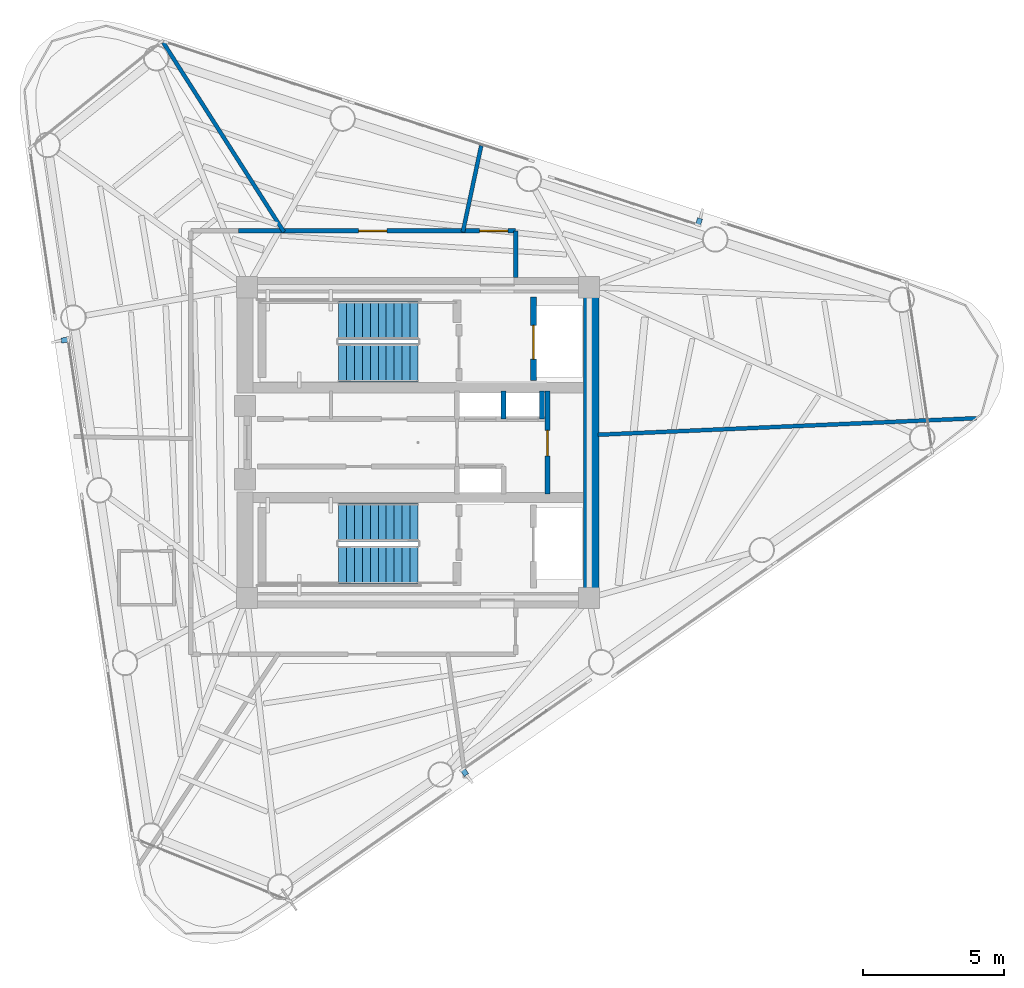
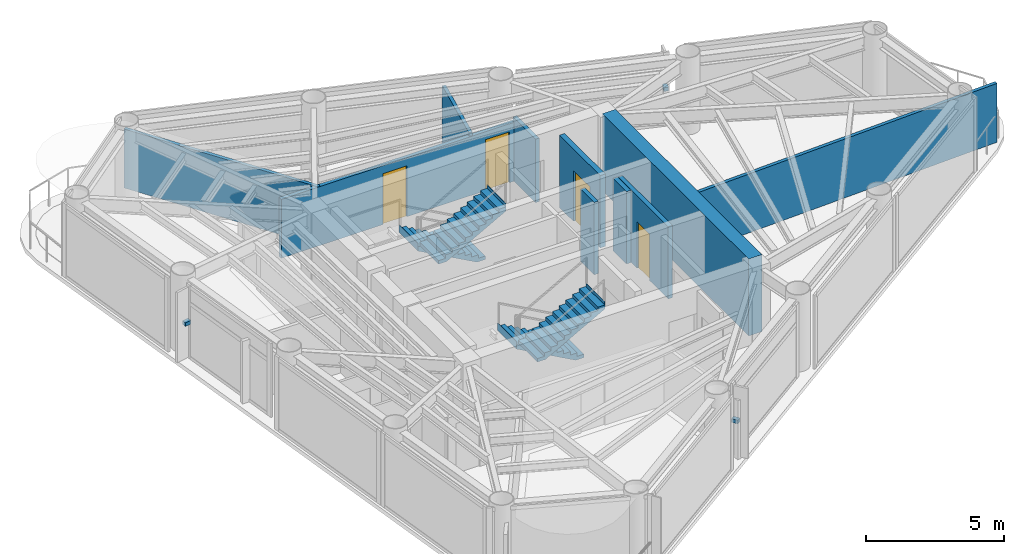
# One storey, part 6 of 10: 10 walls, 4 doors, 4 stair flights, 3 discrete accessories, 4 openings, 2 elements without a shape of their own.
"""IFC4 building model written with IfcOpenShell, lengths in metres."""

import ifcopenshell
import ifcopenshell.guid

model = None  # the IFC model being written
_history = None  # IfcOwnerHistory: only IFC2X3 demands one
_inside = {}  # id of a spatial element -> (the spatial element, [elements in it])
_under = {}  # id of a project, library or spatial element -> (it, [spatial elements below it])
_declared = {}  # id of a project -> (the project, [libraries it declares])
_typed = {}  # id of a type object -> (the type object, [elements of that type])
_made_of = {}  # id of a material, layer set ... -> (it, [elements and type objects made of it])


def new_model(schema):
    """Start an empty IFC model of exactly this schema.

    Asked for "IFC4X3", IfcOpenShell would pick the latest addendum, in which some entities
    have other attributes; the version numbers below select the first issue.
    IFC2X3 requires an IfcOwnerHistory on every rooted entity: one is made here for all.
    """
    global model, _history
    if schema == "IFC4X3":
        model = ifcopenshell.file(schema_version=(4, 3, 0, 0))
    else:
        model = ifcopenshell.file(schema=schema)
    _inside.clear()
    _under.clear()
    _declared.clear()
    _typed.clear()
    _made_of.clear()
    _history = None
    if model.schema == "IFC2X3":
        org = make("IfcOrganization", Name="unknown")
        user = make(
            "IfcPersonAndOrganization",
            ThePerson=make("IfcPerson", FamilyName="unknown"),
            TheOrganization=org,
        )
        app = make(
            "IfcApplication",
            ApplicationDeveloper=org,
            Version="unknown",
            ApplicationFullName="unknown",
            ApplicationIdentifier="unknown",
        )
        _history = make(
            "IfcOwnerHistory",
            OwningUser=user,
            OwningApplication=app,
            ChangeAction="ADDED",
            CreationDate=0,
        )
    return model


def make(cls, **values):
    """One entity of the class cls with the attributes given. An attribute that is None is left unset."""
    return model.create_entity(
        cls, **{name: value for name, value in values.items() if value is not None}
    )


def rooted(cls, **values):
    """An entity with a GlobalId (a new one), such as an element, a storey or a relation."""
    return make(cls, GlobalId=ifcopenshell.guid.new(), OwnerHistory=_history, **values)


def si_unit(unit_type, name, prefix=None):
    """IfcSIUnit, for example si_unit("LENGTHUNIT", "METRE", prefix="MILLI")."""
    return make("IfcSIUnit", UnitType=unit_type, Prefix=prefix, Name=name)


def assignment(units):
    """IfcUnitAssignment: the units of a project."""
    return None if units is None else make("IfcUnitAssignment", Units=units)


def point(xyz):
    """IfcCartesianPoint."""
    return None if xyz is None else make("IfcCartesianPoint", Coordinates=xyz)


def direction(xyz):
    """IfcDirection."""
    return None if xyz is None else make("IfcDirection", DirectionRatios=xyz)


def frame(location, z_axis=None, x_axis=None):
    """IfcAxis2Placement3D, a coordinate frame: its origin and axes. An axis left out is left unset."""
    return make(
        "IfcAxis2Placement3D",
        Location=point(location),
        Axis=direction(z_axis),
        RefDirection=direction(x_axis),
    )


def frame_2d(location, x_axis=None):
    """IfcAxis2Placement2D, a coordinate frame in the plane: its origin and x axis."""
    return make(
        "IfcAxis2Placement2D", Location=point(location), RefDirection=direction(x_axis)
    )


def origin():
    """The frame at (0, 0, 0) with its axes left unset."""
    return frame((0.0, 0.0, 0.0))


def origin_2d():
    """The frame at (0, 0) in the plane with its x axis left unset."""
    return frame_2d((0.0, 0.0))


def place(relative_to, where):
    """IfcLocalPlacement: puts the frame where relative to a parent placement (None: the world)."""
    return make(
        "IfcLocalPlacement", PlacementRelTo=relative_to, RelativePlacement=where
    )


def context(
    kind, dimensions, precision=None, world=None, true_north=None, identifier=None
):
    """IfcGeometricRepresentationContext, for example the 3D "Model" context."""
    return make(
        "IfcGeometricRepresentationContext",
        ContextIdentifier=identifier,
        ContextType=kind,
        CoordinateSpaceDimension=dimensions,
        Precision=precision,
        WorldCoordinateSystem=world,
        TrueNorth=true_north,
    )


def subcontext(parent, identifier, kind, view, scale=None):
    """IfcGeometricRepresentationSubContext, for example "Body" below "Model"."""
    return make(
        "IfcGeometricRepresentationSubContext",
        ContextIdentifier=identifier,
        ContextType=kind,
        ParentContext=parent,
        TargetScale=scale,
        TargetView=view,
    )


def project(units=None, contexts=None):
    """IfcProject with its units and contexts."""
    return rooted(
        "IfcProject",
        Name="project",
        RepresentationContexts=contexts,
        UnitsInContext=assignment(units),
    )


def spatial(cls, under=None, at=None, **own):
    """A site, building, storey or space (cls), placed at a placement, below another one or the project."""
    s = rooted(cls, ObjectPlacement=at, **own)
    if under is not None:
        _under.setdefault(under.id(), (under, []))[1].append(s)
    return s


def polyline(points):
    """IfcPolyline through the points."""
    return make("IfcPolyline", Points=[point(p) for p in points])


def profile(cls, at=None, kind="AREA", **sizes):
    """A parametric profile (cls). Its sizes go by their IFC names, for example OverallWidth=200.0."""
    return make(cls, ProfileType=kind, Position=at, **sizes)


def rectangle(**sizes):
    """IfcRectangleProfileDef."""
    return profile("IfcRectangleProfileDef", **sizes)


def outline(outer, holes=None, kind="AREA"):
    """IfcArbitraryClosedProfileDef: a profile drawn as a closed curve; with holes, ...WithVoids."""
    if holes is None:
        return make("IfcArbitraryClosedProfileDef", ProfileType=kind, OuterCurve=outer)
    return make(
        "IfcArbitraryProfileDefWithVoids",
        ProfileType=kind,
        OuterCurve=outer,
        InnerCurves=holes,
    )


def extrude(swept, where, along, depth):
    """IfcExtrudedAreaSolid: the profile swept, set in the frame where, extruded along a direction by depth."""
    return make(
        "IfcExtrudedAreaSolid",
        SweptArea=swept,
        Position=where,
        ExtrudedDirection=direction(along),
        Depth=depth,
    )


def shape(context_of_items, identifier, shape_type, items):
    """IfcShapeRepresentation: the items that make up one representation, for example the "Body"."""
    return make(
        "IfcShapeRepresentation",
        ContextOfItems=context_of_items,
        RepresentationIdentifier=identifier,
        RepresentationType=shape_type,
        Items=items,
    )


def source(mapping_origin, context_of_items, identifier, shape_type, items):
    """IfcRepresentationMap: a shape defined once, which mapped items show again and again."""
    return make(
        "IfcRepresentationMap",
        MappingOrigin=mapping_origin,
        MappedRepresentation=shape(context_of_items, identifier, shape_type, items),
    )


def transform(
    local_origin,
    x_axis=None,
    y_axis=None,
    z_axis=None,
    scale=None,
    scale2=None,
    scale3=None,
    uniform=True,
):
    """IfcCartesianTransformationOperator3D, or its non-uniform kind. x_axis, y_axis, z_axis: its Axis1, 2, 3."""
    if uniform:
        return make(
            "IfcCartesianTransformationOperator3D",
            Axis1=direction(x_axis),
            Axis2=direction(y_axis),
            LocalOrigin=point(local_origin),
            Scale=scale,
            Axis3=direction(z_axis),
        )
    return make(
        "IfcCartesianTransformationOperator3DnonUniform",
        Axis1=direction(x_axis),
        Axis2=direction(y_axis),
        LocalOrigin=point(local_origin),
        Scale=scale,
        Axis3=direction(z_axis),
        Scale2=scale2,
        Scale3=scale3,
    )


def mapped(mapping_source, mapping_target):
    """IfcMappedItem: shows the shape of a source again, moved by a transform."""
    return make(
        "IfcMappedItem", MappingSource=mapping_source, MappingTarget=mapping_target
    )


def material(Name=None, Category=None):
    """IfcMaterial."""
    return make("IfcMaterial", Name=Name, Category=Category)


def layer(
    of_material, thickness, ventilated=None, Name=None, Category=None, Priority=None
):
    """IfcMaterialLayer: one layer of a wall or slab, of a material (None: an air gap)."""
    return make(
        "IfcMaterialLayer",
        Material=of_material,
        LayerThickness=thickness,
        IsVentilated=ventilated,
        Name=Name,
        Category=Category,
        Priority=Priority,
    )


def layer_set(layers, Name=None):
    """IfcMaterialLayerSet."""
    return make("IfcMaterialLayerSet", MaterialLayers=layers, LayerSetName=Name)


def made_of(thing, what):
    """Note that an element or type object is made of a material, layer set ...; save() writes the relation."""
    if what is not None:
        _made_of.setdefault(what.id(), (what, []))[1].append(thing)
    return thing


def type_object(cls, material=None, **own):
    """A type object (cls), such as IfcWallType, which elements share."""
    return made_of(rooted(cls, **own), material)


def element(
    cls,
    number,
    at=None,
    inside=None,
    cuts=None,
    type_object=None,
    material=None,
    context=None,
    identifier="Body",
    shape_type=None,
    held_by="IfcProductDefinitionShape",
    body=None,
    shapes=None,
    **own,
):
    """One element of the class cls, such as IfcWall. Its Tag is "e" and its number.

    at: its placement. inside: the storey or other place that contains it. cuts: it is an
    opening in that element (IfcRelVoidsElement). A single representation is given by context,
    identifier, shape_type and body (its items); several are given by shapes. held_by: the class
    of the entity that holds the representations. save() writes the other relations.
    """
    e = rooted(cls, Tag="e%d" % number, ObjectPlacement=at, **own)
    if body is not None:
        shapes = [shape(context, identifier, shape_type, body)]
    if shapes is not None:
        e.Representation = make(held_by, Representations=shapes)
    if inside is not None:
        _inside.setdefault(inside.id(), (inside, []))[1].append(e)
    if cuts is not None:
        rooted(
            "IfcRelVoidsElement", RelatingBuildingElement=cuts, RelatedOpeningElement=e
        )
    if type_object is not None:
        _typed.setdefault(type_object.id(), (type_object, []))[1].append(e)
    return made_of(e, material)


def fill(opening, filler):
    """IfcRelFillsElement: the door or window that sits in an opening."""
    return rooted(
        "IfcRelFillsElement",
        RelatingOpeningElement=opening,
        RelatedBuildingElement=filler,
    )


def aggregate(whole, parts):
    """IfcRelAggregates: a whole, such as a stair, and the parts it consists of."""
    return rooted("IfcRelAggregates", RelatingObject=whole, RelatedObjects=parts)


def save(model, path):
    """Write the relations noted so far, then the file.

    IfcRelAggregates (storeys below a building ...), IfcRelContainedInSpatialStructure (elements
    in a storey), IfcRelDefinesByType, IfcRelAssociatesMaterial and IfcRelDeclares: one each for
    every whole, place, type object, material and project.
    """
    for whole, parts in _under.values():
        aggregate(whole, parts)
    for where, things in _inside.values():
        rooted(
            "IfcRelContainedInSpatialStructure",
            RelatedElements=things,
            RelatingStructure=where,
        )
    for kind, things in _typed.values():
        rooted("IfcRelDefinesByType", RelatedObjects=things, RelatingType=kind)
    for what, things in _made_of.values():
        rooted("IfcRelAssociatesMaterial", RelatedObjects=things, RelatingMaterial=what)
    for by, libraries in _declared.values():
        rooted("IfcRelDeclares", RelatingContext=by, RelatedDefinitions=libraries)
    model.write(path)


model = new_model("IFC4")

# Units and contexts
model_context = context("Model", 3, precision=1e-05, world=origin(), true_north=direction((0.0, 1.0)))
body_context = subcontext(model_context, "Body", "Model", "MODEL_VIEW")
ifc_project = project(units=[si_unit("LENGTHUNIT", "METRE"), si_unit("AREAUNIT", "SQUARE_METRE"), si_unit("VOLUMEUNIT", "CUBIC_METRE"), si_unit("PLANEANGLEUNIT", "RADIAN"), si_unit("MASSUNIT", "GRAM", prefix="KILO")], contexts=[model_context])

# Site, building, storey
site_placement = place(None, origin())
site = spatial("IfcSite", under=ifc_project, at=site_placement, CompositionType="ELEMENT")
building_placement = place(site_placement, origin())
building = spatial("IfcBuilding", under=site, at=building_placement, Name="Yunling Apex Tower", CompositionType="ELEMENT")
storey_placement = place(building_placement, frame((0.0, 0.0, 277.949951171875)))
storey = spatial("IfcBuildingStorey", under=building, at=storey_placement, Name="L68", CompositionType="ELEMENT", Elevation=277.949951171875)

# Wall
ifc_material_1 = material(Name="Concrete C40", Category="concrete")
ifc_layer_1 = layer(ifc_material_1, 0.550048828125)
ifc_layer_set_1 = layer_set([ifc_layer_1], Name="Concrete C40")
wall_type_1 = type_object("IfcWallType", Name="WL-COR-3", PredefinedType="SHEAR", material=ifc_layer_set_1)
wall_1_placement = place(storey_placement, frame((6.125, -5.300048828125, 0.0), z_axis=(0.0, 0.0, 1.0), x_axis=(0.0, 1.0, 0.0)))
element("IfcWall", 1, at=wall_1_placement, inside=storey, type_object=wall_type_1, Name="L68 East Core Shear Wall", PredefinedType="SHEAR", context=body_context, shape_type="SweptSolid", body=[
    extrude(rectangle(XDim=10.60009765625, YDim=0.550048828125, at=frame_2d((5.300048828125, 0.0))), origin(), (0.0, 0.0, 1.0), 3.400146484375),
])

# Wall, openings, doors
ifc_material_2 = material(Name="Gypsum board acoustic partition")
ifc_layer_2 = layer(ifc_material_2, 0.159912109375)
ifc_layer_set_2 = layer_set([ifc_layer_2], Name="Gypsum board acoustic partition")
wall_type_2 = type_object("IfcWallType", Name="WL-PRT-1", PredefinedType="PARTITIONING", material=ifc_layer_set_2)
wall_2_placement = place(storey_placement, frame((-6.360107421875, 7.489990234375, 0.0), z_axis=(0.0, 0.0, 1.0), x_axis=(1.0, 0.0, 0.0)))
wall_2 = element("IfcWall", 2, at=wall_2_placement, inside=storey, type_object=wall_type_2, Name="WL-CORR-L68-03", PredefinedType="PARTITIONING", context=body_context, shape_type="SweptSolid", body=[
    extrude(rectangle(XDim=9.81005859375, YDim=0.159912109375, at=frame_2d((4.905029296875, 0.0))), origin(), (0.0, 0.0, 1.0), 2.60498046875),
])
opening_1_placement = place(wall_2_placement, frame((4.25341796875, 0.0, 0.0)))
opening_1 = element("IfcOpeningElement", 3, at=opening_1_placement, cuts=wall_2, Name="Opening DR-OFF-1", PredefinedType="OPENING", context=body_context, shape_type="SweptSolid", body=[
    extrude(rectangle(XDim=1.0, YDim=2.25, at=frame_2d((0.5, 1.125))), frame((0.0, 0.08984375, 0.0), z_axis=(0.0, -1.0, 0.0), x_axis=(1.0, 0.0, 0.0)), (0.0, 0.0, 1.0), 0.179931640625),
])
opening_2_placement = place(wall_2_placement, frame((8.53955078125, 0.0, 0.0)))
opening_2 = element("IfcOpeningElement", 4, at=opening_2_placement, cuts=wall_2, Name="Opening DR-OFF-1", PredefinedType="OPENING", context=body_context, shape_type="SweptSolid", body=[
    extrude(rectangle(XDim=1.0, YDim=2.25, at=frame_2d((0.5, 1.125))), frame((0.0, 0.08984375, 0.0), z_axis=(0.0, -1.0, 0.0), x_axis=(1.0, 0.0, 0.0)), (0.0, 0.0, 1.0), 0.179931640625),
])
ifc_material_3 = material(Name="Bronze anodised aluminium", Category="aluminium")
door_type_1 = type_object("IfcDoorType", Name="DR-OFF-1", OperationType="NOTDEFINED", PredefinedType="DOOR", material=ifc_material_3)
door_1_placement = place(opening_1_placement, origin())
door_1 = element("IfcDoor", 5, at=door_1_placement, inside=storey, type_object=door_type_1, Name="L68 Concierge Reception Foyer Door", OperationType="SINGLE_SWING_RIGHT", OverallHeight=2.25, OverallWidth=1.0, PredefinedType="DOOR", context=body_context, shape_type="SweptSolid", body=[
    extrude(rectangle(XDim=1.0, YDim=2.25, at=frame_2d((0.5, 1.125))), frame((0.0, 0.02490234375, 0.0), z_axis=(0.0, -1.0, 0.0), x_axis=(1.0, 0.0, 0.0)), (0.0, 0.0, 1.0), 0.050048828125),
])
fill(opening_1, door_1)
door_2_placement = place(opening_2_placement, origin())
door_2 = element("IfcDoor", 6, at=door_2_placement, inside=storey, type_object=door_type_1, Name="L68 Private Tea Kitchen Door", OperationType="SINGLE_SWING_LEFT", OverallHeight=2.25, OverallWidth=1.0, PredefinedType="DOOR", context=body_context, shape_type="SweptSolid", body=[
    extrude(rectangle(XDim=1.0, YDim=2.25, at=frame_2d((0.5, 1.125))), frame((0.0, 0.02490234375, 0.0), z_axis=(0.0, -1.0, 0.0), x_axis=(1.0, 0.0, 0.0)), (0.0, 0.0, 1.0), 0.050048828125),
])
fill(opening_2, door_2)

# Walls
wall_3_placement = place(storey_placement, frame((3.449951171875, 7.489990234375, 0.0), z_axis=(0.0, 0.0, 1.0), x_axis=(0.0, -1.0, 0.0)))
element("IfcWall", 7, at=wall_3_placement, inside=storey, type_object=wall_type_2, Name="WL-CORR-L68-04", PredefinedType="PARTITIONING", context=body_context, shape_type="SweptSolid", body=[
    extrude(rectangle(XDim=1.639892578125, YDim=0.159912109375, at=frame_2d((0.81982421875, 0.0))), origin(), (0.0, 0.0, 1.0), 2.804931640625),
])
ifc_layer_3 = layer(ifc_material_2, 0.139892578125)
ifc_layer_set_3 = layer_set([ifc_layer_3], Name="Gypsum board acoustic partition")
wall_type_3 = type_object("IfcWallType", Name="WL-PRT-2", PredefinedType="PARTITIONING", material=ifc_layer_set_3)
wall_4_placement = place(storey_placement, frame((6.360107421875, 0.277587890625, 0.0), z_axis=(0.0, 0.0, 1.0), x_axis=(0.999047617824, 0.043633213494, 0.0)))
element("IfcWall", 8, at=wall_4_placement, inside=storey, type_object=wall_type_3, Name="WL-RAD-L68-01", PredefinedType="PARTITIONING", context=body_context, shape_type="SweptSolid", body=[
    extrude(rectangle(XDim=13.40625, YDim=0.139892578125, at=frame_2d((6.703125, 0.0))), origin(), (0.0, 0.0, 1.0), 2.60498046875),
])
wall_5_placement = place(storey_placement, frame((1.58349609375, 7.449951171875, 0.0), z_axis=(0.0, 0.0, 1.0), x_axis=(0.20788492722, 0.978153289129, 0.0)))
element("IfcWall", 9, at=wall_5_placement, inside=storey, type_object=wall_type_3, Name="WL-RAD-L68-02", PredefinedType="PARTITIONING", context=body_context, shape_type="SweptSolid", body=[
    extrude(rectangle(XDim=3.1240234375, YDim=0.139892578125, at=frame_2d((1.56201171875, 0.0))), origin(), (0.0, 0.0, 1.0), 2.76513671875),
])
wall_6_placement = place(storey_placement, frame((-4.74609375, 7.449951171875, 0.0), z_axis=(0.0, 0.0, 1.0), x_axis=(-0.537302825122, 0.843389396492, 0.0)))
element("IfcWall", 10, at=wall_6_placement, inside=storey, type_object=wall_type_3, Name="WL-RAD-L68-03", PredefinedType="PARTITIONING", context=body_context, shape_type="SweptSolid", body=[
    extrude(rectangle(XDim=7.94677734375, YDim=0.139892578125, at=frame_2d((3.973388671875, 0.0))), origin(), (0.0, 0.0, 1.0), 2.60498046875),
])

# Wall, opening, door
ifc_material_4 = material(Name="Autoclaved aerated concrete masonry", Category="masonry")
ifc_layer_4 = layer(ifc_material_4, 0.219970703125)
ifc_layer_set_4 = layer_set([ifc_layer_4], Name="Autoclaved aerated concrete masonry")
wall_type_4 = type_object("IfcWallType", Name="WL-SHF-1", PredefinedType="PLUMBINGWALL", material=ifc_layer_set_4)
wall_7_placement = place(storey_placement, frame((4.080078125, 2.199951171875, 0.0), z_axis=(0.0, 0.0, 1.0), x_axis=(0.0, 1.0, 0.0)))
wall_7 = element("IfcWall", 11, at=wall_7_placement, inside=storey, type_object=wall_type_4, Name="WL-FFL1-W-L68", PredefinedType="PLUMBINGWALL", context=body_context, shape_type="SweptSolid", body=[
    extrude(rectangle(XDim=2.949951171875, YDim=0.219970703125, at=frame_2d((1.47509765625, 0.0))), origin(), (0.0, 0.0, 1.0), 3.199951171875),
])
opening_3_placement = place(wall_7_placement, frame((0.75, 0.0, 0.0)))
opening_3 = element("IfcOpeningElement", 12, at=opening_3_placement, cuts=wall_7, Name="Opening LD-FFL-1", PredefinedType="OPENING", context=body_context, shape_type="SweptSolid", body=[
    extrude(rectangle(XDim=1.199951171875, YDim=2.25, at=frame_2d((0.60009765625, 1.125))), frame((0.0, 0.1201171875, 0.0), z_axis=(0.0, -1.0, 0.0), x_axis=(1.0, 0.0, 0.0)), (0.0, 0.0, 1.0), 0.239990234375),
])
ifc_material_5 = material(Name="Steel Q355B", Category="steel")
door_type_2 = type_object("IfcDoorType", Name="LD-FFL-1", OperationType="DOUBLE_DOOR_SLIDING", PredefinedType="DOOR", material=ifc_material_5)
door_3_placement = place(opening_3_placement, origin())
door_3 = element("IfcDoor", 13, at=door_3_placement, inside=storey, type_object=door_type_2, Name="L68 Lift FFL-1 Landing Door", OperationType="DOUBLE_DOOR_SLIDING", OverallHeight=2.25, OverallWidth=1.199951171875, PredefinedType="DOOR", context=body_context, shape_type="SweptSolid", body=[
    extrude(rectangle(XDim=1.199951171875, YDim=2.25, at=frame_2d((0.60009765625, 1.125))), frame((0.0, 0.02490234375, 0.0), z_axis=(0.0, -1.0, 0.0), x_axis=(1.0, 0.0, 0.0)), (0.0, 0.0, 1.0), 0.050048828125),
])
fill(opening_3, door_3)

# Walls
ifc_layer_5 = layer(ifc_material_4, 0.179931640625)
ifc_layer_set_5 = layer_set([ifc_layer_5], Name="Autoclaved aerated concrete masonry")
wall_type_5 = type_object("IfcWallType", Name="WL-SHF-2", PredefinedType="PLUMBINGWALL", material=ifc_layer_set_5)
for number, where, z_axis, x_axis, name in (
    (14, (3.02001953125, 0.840087890625, 0.0), (0.0, 0.0, 1.0), (0.0, 1.0, 0.0), "WL-DIV-H13-L68"),
    (15, (4.3798828125, 0.840087890625, 0.0), (0.0, 0.0, 1.0), (0.0, 1.0, 0.0), "WL-END-H3E-L68"),
):
    element("IfcWall", number, at=place(storey_placement, frame(where, z_axis=z_axis, x_axis=x_axis)), inside=storey, type_object=wall_type_5, Name=name, PredefinedType="PLUMBINGWALL", context=body_context, shape_type="SweptSolid", body=[
        extrude(rectangle(XDim=0.97998046875, YDim=0.179931640625, at=frame_2d((0.489990234375, 0.0))), origin(), (0.0, 0.0, 1.0), 3.199951171875),
    ])

# Wall, opening, door
wall_8_placement = place(storey_placement, frame((4.580078125, -1.820068359375, 0.0), z_axis=(0.0, 0.0, 1.0), x_axis=(0.0, 1.0, 0.0)))
wall_8 = element("IfcWall", 16, at=wall_8_placement, inside=storey, type_object=wall_type_5, Name="WL-KBE-W-L68", PredefinedType="PLUMBINGWALL", context=body_context, shape_type="SweptSolid", body=[
    extrude(rectangle(XDim=3.64013671875, YDim=0.179931640625, at=frame_2d((1.820068359375, 0.0))), origin(), (0.0, 0.0, 1.0), 3.199951171875),
])
opening_4_placement = place(wall_8_placement, frame((1.35009765625, 0.0, 0.0)))
opening_4 = element("IfcOpeningElement", 17, at=opening_4_placement, cuts=wall_8, Name="Opening DR-SHF-1", PredefinedType="OPENING", context=body_context, shape_type="SweptSolid", body=[
    extrude(rectangle(XDim=0.89990234375, YDim=2.050048828125, at=frame_2d((0.449951171875, 1.02490234375))), frame((0.0, 0.10009765625, 0.0), z_axis=(0.0, -1.0, 0.0), x_axis=(1.0, 0.0, 0.0)), (0.0, 0.0, 1.0), 0.199951171875),
])
door_type_3 = type_object("IfcDoorType", Name="DR-SHF-1", OperationType="NOTDEFINED", PredefinedType="DOOR", material=ifc_material_5)
door_4_placement = place(opening_4_placement, origin())
door_4 = element("IfcDoor", 18, at=door_4_placement, inside=storey, type_object=door_type_3, Name="L68 Core Meter Room Door", OperationType="SINGLE_SWING_RIGHT", OverallHeight=2.050048828125, OverallWidth=0.89990234375, PredefinedType="DOOR", context=body_context, shape_type="SweptSolid", body=[
    extrude(rectangle(XDim=0.89990234375, YDim=2.050048828125, at=frame_2d((0.449951171875, 1.02490234375))), frame((0.0, 0.02490234375, 0.0), z_axis=(0.0, -1.0, 0.0), x_axis=(1.0, 0.0, 0.0)), (0.0, 0.0, 1.0), 0.050048828125),
])
fill(opening_4, door_4)

# Stair, stair flights
stair_type = type_object("IfcStairType", Name="ST-TWR-3", PredefinedType="HALF_TURN_STAIR", material=ifc_material_1)
stair_1_placement = place(storey_placement, origin())
stair_1 = element("IfcStair", 19, at=stair_1_placement, inside=storey, type_object=stair_type, Name="L68 North Core Smokeproof Exit Stair ST-1", PredefinedType="HALF_TURN_STAIR")
stair_flight_type = type_object("IfcStairFlightType", Name="SFL-TWR-3", PredefinedType="STRAIGHT", material=ifc_material_1)
stair_flight_1_placement = place(storey_placement, frame((-0.010009765625, 4.330078125, 0.0), z_axis=(0.0, 0.0, 1.0), x_axis=(-1.0, 0.0, 0.0)))
stair_flight_1 = element("IfcStairFlight", 20, at=stair_flight_1_placement, type_object=stair_flight_type, Name="ST-1 flight 1", NumberOfRisers=11, NumberOfTreads=10, PredefinedType="STRAIGHT", RiserHeight=0.154545455, TreadLength=0.28, context=body_context, shape_type="SweptSolid", body=[
    extrude(outline(polyline([(-0.011962890625, 0.0), (-0.011962890625, 0.154541015625), (0.0, 0.154541015625), (0.280029296875, 0.154541015625), (0.280029296875, 0.30908203125), (0.56005859375, 0.30908203125), (0.56005859375, 0.463623046875), (0.840087890625, 0.463623046875), (0.840087890625, 0.6181640625), (1.1201171875, 0.6181640625), (1.1201171875, 0.772705078125), (1.39990234375, 0.772705078125), (1.39990234375, 0.92724609375), (1.679931640625, 0.92724609375), (1.679931640625, 1.081787109375), (1.9599609375, 1.081787109375), (1.9599609375, 1.236328125), (2.239990234375, 1.236328125), (2.239990234375, 1.390869140625), (2.52001953125, 1.390869140625), (2.52001953125, 1.54541015625), (2.800048828125, 1.54541015625), (2.800048828125, 1.699951171875), (2.81201171875, 1.699951171875), (2.81201171875, 1.36279296875), (0.330810546875, 0.0), (-0.011962890625, 0.0)])), frame((0.0, 0.68017578125, 0.0), z_axis=(0.0, -1.0, 0.0), x_axis=(1.0, 0.0, 0.0)), (0.0, 0.0, 1.0), 1.360107421875),
])
stair_flight_2_placement = place(storey_placement, frame((-2.81005859375, 2.820068359375, 1.699951171875), z_axis=(0.0, 0.0, 1.0), x_axis=(1.0, 0.0, 0.0)))
stair_flight_2 = element("IfcStairFlight", 21, at=stair_flight_2_placement, type_object=stair_flight_type, Name="ST-1 flight 2", NumberOfRisers=11, NumberOfTreads=10, PredefinedType="STRAIGHT", RiserHeight=0.154545455, TreadLength=0.28, context=body_context, shape_type="SweptSolid", body=[
    extrude(outline(polyline([(-0.011962890625, 0.0), (-0.011962890625, 0.154541015625), (0.0, 0.154541015625), (0.280029296875, 0.154541015625), (0.280029296875, 0.30908203125), (0.56005859375, 0.30908203125), (0.56005859375, 0.463623046875), (0.840087890625, 0.463623046875), (0.840087890625, 0.6181640625), (1.1201171875, 0.6181640625), (1.1201171875, 0.772705078125), (1.39990234375, 0.772705078125), (1.39990234375, 0.92724609375), (1.679931640625, 0.92724609375), (1.679931640625, 1.081787109375), (1.9599609375, 1.081787109375), (1.9599609375, 1.236328125), (2.239990234375, 1.236328125), (2.239990234375, 1.390869140625), (2.52001953125, 1.390869140625), (2.52001953125, 1.54541015625), (2.800048828125, 1.54541015625), (2.800048828125, 1.699951171875), (2.81201171875, 1.699951171875), (2.81201171875, 1.36279296875), (0.330810546875, 0.0), (-0.011962890625, 0.0)])), frame((0.0, 0.68017578125, 0.0), z_axis=(0.0, -1.0, 0.0), x_axis=(1.0, 0.0, 0.0)), (0.0, 0.0, 1.0), 1.360107421875),
])
aggregate(stair_1, [stair_flight_1, stair_flight_2])

stair_2_placement = place(storey_placement, origin())
stair_2 = element("IfcStair", 22, at=stair_2_placement, inside=storey, type_object=stair_type, Name="L68 South Core Smokeproof Exit Stair ST-2", PredefinedType="HALF_TURN_STAIR")
stair_flight_3_placement = place(storey_placement, frame((-0.010009765625, -2.820068359375, 0.0), z_axis=(0.0, 0.0, 1.0), x_axis=(-1.0, 0.0, 0.0)))
stair_flight_3 = element("IfcStairFlight", 23, at=stair_flight_3_placement, type_object=stair_flight_type, Name="ST-2 flight 1", NumberOfRisers=11, NumberOfTreads=10, PredefinedType="STRAIGHT", RiserHeight=0.154545455, TreadLength=0.28, context=body_context, shape_type="SweptSolid", body=[
    extrude(outline(polyline([(-0.011962890625, 0.0), (-0.011962890625, 0.154541015625), (0.0, 0.154541015625), (0.280029296875, 0.154541015625), (0.280029296875, 0.30908203125), (0.56005859375, 0.30908203125), (0.56005859375, 0.463623046875), (0.840087890625, 0.463623046875), (0.840087890625, 0.6181640625), (1.1201171875, 0.6181640625), (1.1201171875, 0.772705078125), (1.39990234375, 0.772705078125), (1.39990234375, 0.92724609375), (1.679931640625, 0.92724609375), (1.679931640625, 1.081787109375), (1.9599609375, 1.081787109375), (1.9599609375, 1.236328125), (2.239990234375, 1.236328125), (2.239990234375, 1.390869140625), (2.52001953125, 1.390869140625), (2.52001953125, 1.54541015625), (2.800048828125, 1.54541015625), (2.800048828125, 1.699951171875), (2.81201171875, 1.699951171875), (2.81201171875, 1.36279296875), (0.330810546875, 0.0), (-0.011962890625, 0.0)])), frame((0.0, 0.68017578125, 0.0), z_axis=(0.0, -1.0, 0.0), x_axis=(1.0, 0.0, 0.0)), (0.0, 0.0, 1.0), 1.360107421875),
])
stair_flight_4_placement = place(storey_placement, frame((-2.81005859375, -4.330078125, 1.699951171875), z_axis=(0.0, 0.0, 1.0), x_axis=(1.0, 0.0, 0.0)))
stair_flight_4 = element("IfcStairFlight", 24, at=stair_flight_4_placement, type_object=stair_flight_type, Name="ST-2 flight 2", NumberOfRisers=11, NumberOfTreads=10, PredefinedType="STRAIGHT", RiserHeight=0.154545455, TreadLength=0.28, context=body_context, shape_type="SweptSolid", body=[
    extrude(outline(polyline([(-0.011962890625, 0.0), (-0.011962890625, 0.154541015625), (0.0, 0.154541015625), (0.280029296875, 0.154541015625), (0.280029296875, 0.30908203125), (0.56005859375, 0.30908203125), (0.56005859375, 0.463623046875), (0.840087890625, 0.463623046875), (0.840087890625, 0.6181640625), (1.1201171875, 0.6181640625), (1.1201171875, 0.772705078125), (1.39990234375, 0.772705078125), (1.39990234375, 0.92724609375), (1.679931640625, 0.92724609375), (1.679931640625, 1.081787109375), (1.9599609375, 1.081787109375), (1.9599609375, 1.236328125), (2.239990234375, 1.236328125), (2.239990234375, 1.390869140625), (2.52001953125, 1.390869140625), (2.52001953125, 1.54541015625), (2.800048828125, 1.54541015625), (2.800048828125, 1.699951171875), (2.81201171875, 1.699951171875), (2.81201171875, 1.36279296875), (0.330810546875, 0.0), (-0.011962890625, 0.0)])), frame((0.0, 0.68017578125, 0.0), z_axis=(0.0, -1.0, 0.0), x_axis=(1.0, 0.0, 0.0)), (0.0, 0.0, 1.0), 1.360107421875),
])
aggregate(stair_2, [stair_flight_3, stair_flight_4])

# Discrete accessories
discrete_accessory_type = type_object("IfcDiscreteAccessoryType", Name="BK-FIN-1", PredefinedType="BRACKET", material=ifc_material_5)
shared_shape = source(origin(), body_context, "Body", "SweptSolid", [
    extrude(rectangle(XDim=0.179931640625, YDim=0.260009765625, at=origin_2d()), origin(), (0.0, 0.0, 1.0), 0.159912109375),
])
for number, where, z_axis, x_axis, name in (
    (25, (1.638427734375, -11.656982421875, 1.5302734375), (0.0, 0.0, 1.0), (0.819552276527, 0.573004420611, 0.0), "CW-L68-F1-B2-BRK-01-1"),
    (26, (9.938720703125, 7.80810546875, 1.5302734375), (0.0, 0.0, 1.0), (-0.951272019071, 0.30835295642, 0.0), "CW-L68-F2-B2-BRK-01-1"),
    (27, (-12.492919921875, 3.630615234375, 1.5302734375), (0.0, 0.0, 1.0), (0.14780941113, -0.989015863362, 0.0), "CW-L68-F3-B2-BRK-01-1"),
):
    element("IfcDiscreteAccessory", number, at=place(storey_placement, frame(where, z_axis=z_axis, x_axis=x_axis)), inside=storey, type_object=discrete_accessory_type, Name=name, PredefinedType="BRACKET", context=body_context, shape_type="MappedRepresentation", body=[
        mapped(shared_shape, transform((0.0, 0.0, 0.0), scale=1.0)),
    ])

save(model, "model.ifc")
